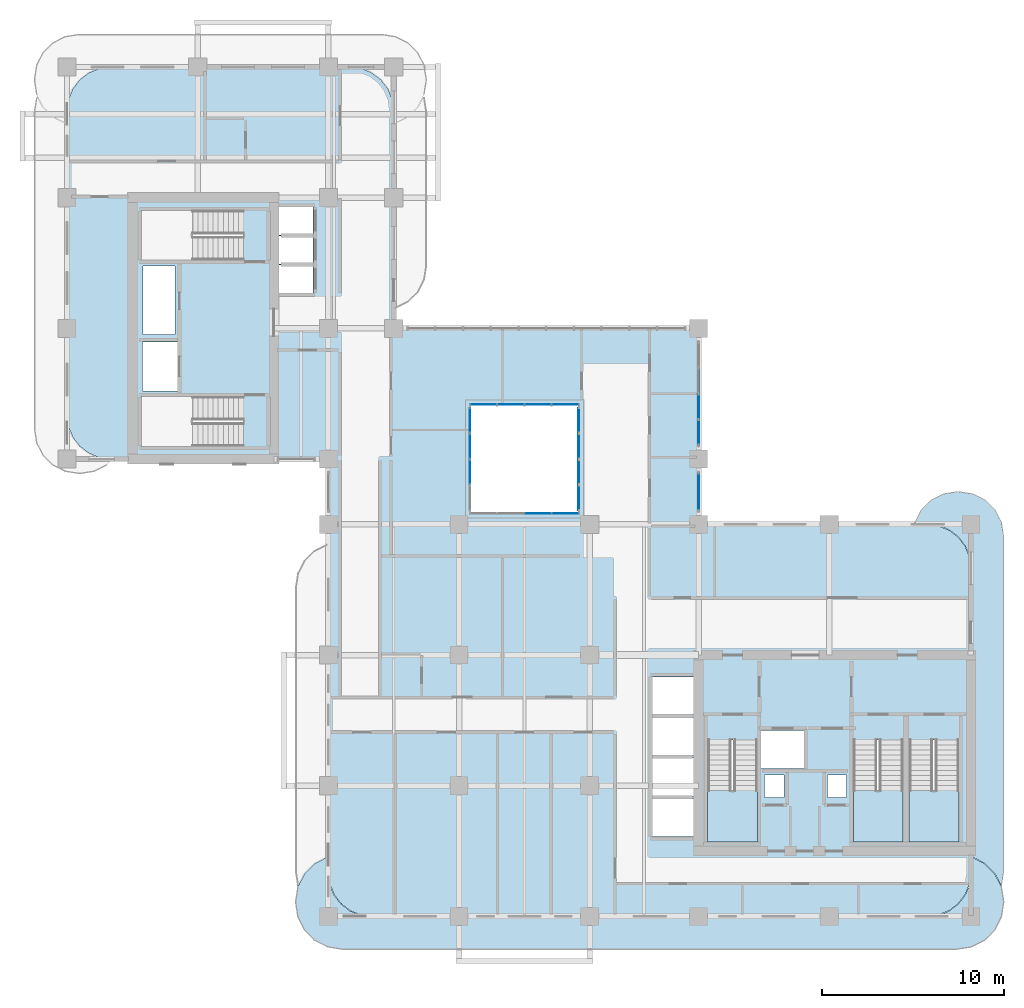
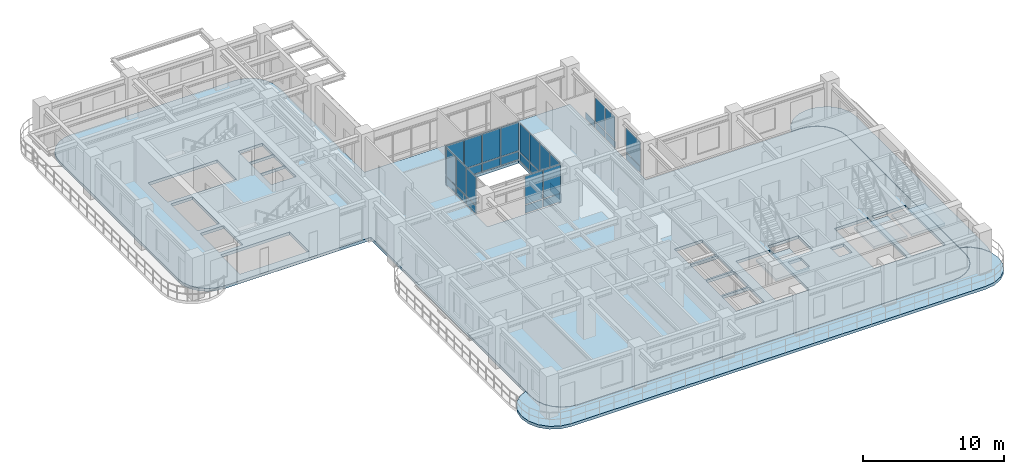
# One storey, part 9 of 21: 33 plates, 6 slabs, 9 elements without a shape of their own.
"""IFC4 building model written with IfcOpenShell, lengths in metres."""

from ifc_helpers import new_model, si_unit, derived_unit, direction, frame, origin, origin_2d, place, context, subcontext, project, spatial, polyline, rectangle, outline, extrude, source, transform, mapped, material, layer, layer_set, type_object, element, aggregate, save


model = new_model("IFC4")

# Units and contexts
model_context = context("Model", 3, precision=1e-05, world=origin(), true_north=direction((0.0, 1.0)))
body_context = subcontext(model_context, "Body", "Model", "MODEL_VIEW")
ifc_project = project(units=[si_unit("LENGTHUNIT", "METRE"), si_unit("AREAUNIT", "SQUARE_METRE"), si_unit("VOLUMEUNIT", "CUBIC_METRE"), si_unit("PLANEANGLEUNIT", "RADIAN"), si_unit("MASSUNIT", "GRAM", prefix="KILO"), si_unit("THERMODYNAMICTEMPERATUREUNIT", "KELVIN"), si_unit("POWERUNIT", "WATT"), derived_unit("THERMALTRANSMITTANCEUNIT", [(si_unit("POWERUNIT", "WATT"), 1), (si_unit("AREAUNIT", "SQUARE_METRE"), -1), (si_unit("THERMODYNAMICTEMPERATUREUNIT", "KELVIN"), -1)])], contexts=[model_context])

# Site, building, storey
site_placement = place(None, origin())
site = spatial("IfcSite", under=ifc_project, at=site_placement, CompositionType="ELEMENT")
building_placement = place(site_placement, origin())
building = spatial("IfcBuilding", under=site, at=building_placement, Name="Zahravan Archway Hotel and Residences", CompositionType="ELEMENT")
storey_placement = place(building_placement, frame((0.0, 0.0, 141.39990234375)))
storey = spatial("IfcBuildingStorey", under=building, at=storey_placement, Name="L35", CompositionType="ELEMENT", Elevation=141.39990234375)

# Slabs
ifc_material_1 = material(Name="Concrete C45/55", Category="concrete")
ifc_layer_1 = layer(ifc_material_1, 0.25, Name="Concrete C45/55", Category="concrete")
ifc_layer_set_1 = layer_set([ifc_layer_1], Name="Concrete C45/55")
slab_type_1 = type_object("IfcSlabType", Name="SLB-BALC-250", PredefinedType="FLOOR", material=ifc_layer_set_1)
slab_1_placement = place(storey_placement, frame((0.0, 0.0, -0.25)))
element("IfcSlab", 1, at=slab_1_placement, inside=storey, type_object=slab_type_1, Name="L35 Wing A South Rounded Balcony Band", PredefinedType="FLOOR", context=body_context, shape_type="SweptSolid", body=[
    extrude(outline(polyline([(49.837890625, 3.275146484375), (50.548828125, 2.9130859375), (51.113037109375, 2.348876953125), (51.47509765625, 1.637939453125), (51.60009765625, 0.85009765625), (51.60009765625, 0.75), (51.47509765625, -0.0380859375), (51.113037109375, -0.748779296875), (50.548828125, -1.31298828125), (49.837890625, -1.67529296875), (49.050048828125, -1.800048828125), (15.14990234375, -1.800048828125), (14.362060546875, -1.67529296875), (13.651123046875, -1.31298828125), (13.0869140625, -0.748779296875), (12.724853515625, -0.0380859375), (12.60009765625, 0.75), (12.60009765625, 0.85009765625), (12.724853515625, 1.637939453125), (13.0869140625, 2.348876953125), (13.651123046875, 2.9130859375), (14.362060546875, 3.275146484375), (14.3798828125, 3.278076171875), (14.3798828125, 2.39990234375), (14.380126953125, 2.3974609375), (14.4619140625, 1.776123046875), (14.46240234375, 1.7744140625), (14.462646484375, 1.772705078125), (14.46337890625, 1.77099609375), (14.702880859375, 1.1923828125), (14.703857421875, 1.19091796875), (14.70458984375, 1.189208984375), (14.70556640625, 1.187744140625), (15.0869140625, 0.690673828125), (15.088134765625, 0.689453125), (15.08935546875, 0.688232421875), (15.0908203125, 0.68701171875), (15.587890625, 0.3056640625), (15.58935546875, 0.3046875), (15.5908203125, 0.3037109375), (15.59228515625, 0.302978515625), (16.171142578125, 0.063232421875), (16.1728515625, 0.062744140625), (16.174560546875, 0.062255859375), (16.17626953125, 0.06201171875), (16.79736328125, -0.019775390625), (16.800048828125, -0.02001953125), (47.39990234375, -0.02001953125), (47.402587890625, -0.019775390625), (48.023681640625, 0.06201171875), (48.025390625, 0.062255859375), (48.027099609375, 0.062744140625), (48.02880859375, 0.063232421875), (48.607666015625, 0.302978515625), (48.609130859375, 0.3037109375), (48.610595703125, 0.3046875), (48.6123046875, 0.3056640625), (49.109375, 0.68701171875), (49.110595703125, 0.688232421875), (49.11181640625, 0.689453125), (49.113037109375, 0.690673828125), (49.494384765625, 1.187744140625), (49.495361328125, 1.189208984375), (49.49609375, 1.19091796875), (49.4970703125, 1.1923828125), (49.73681640625, 1.77099609375), (49.7373046875, 1.772705078125), (49.73779296875, 1.7744140625), (49.738037109375, 1.776123046875), (49.81982421875, 2.3974609375), (49.820068359375, 2.39990234375), (49.820068359375, 3.278076171875), (49.837890625, 3.275146484375)])), origin(), (0.0, 0.0, 1.0), 0.25),
])
slab_2_placement = place(storey_placement, frame((0.0, 0.0, -0.25)))
element("IfcSlab", 2, at=slab_2_placement, inside=storey, type_object=slab_type_1, Name="L35 Wing A East Rounded Balcony Band", PredefinedType="FLOOR", context=body_context, shape_type="SweptSolid", body=[
    extrude(outline(polyline([(46.719970703125, 21.70703125), (47.06787109375, 22.39013671875), (47.60986328125, 22.93212890625), (48.29296875, 23.280029296875), (49.050048828125, 23.39990234375), (49.14990234375, 23.39990234375), (49.906982421875, 23.280029296875), (50.590087890625, 22.93212890625), (51.132080078125, 22.39013671875), (51.47998046875, 21.70703125), (51.60009765625, 20.949951171875), (51.60009765625, 2.449951171875), (51.47998046875, 1.69287109375), (51.474853515625, 1.6826171875), (51.130859375, 2.35791015625), (51.1298828125, 2.35986328125), (51.12841796875, 2.361572265625), (51.127197265625, 2.363037109375), (50.56298828125, 2.927001953125), (50.5615234375, 2.928466796875), (50.559814453125, 2.9296875), (50.55810546875, 2.930908203125), (49.84716796875, 3.29296875), (49.84521484375, 3.2939453125), (49.84326171875, 3.29443359375), (49.841064453125, 3.294921875), (49.822998046875, 3.2978515625), (49.8212890625, 3.298095703125), (49.820068359375, 3.298095703125), (49.820068359375, 19.199951171875), (49.81982421875, 19.20263671875), (49.738037109375, 19.82373046875), (49.73779296875, 19.825439453125), (49.7373046875, 19.8271484375), (49.73681640625, 19.828857421875), (49.4970703125, 20.40771484375), (49.49609375, 20.4091796875), (49.495361328125, 20.41064453125), (49.494384765625, 20.412109375), (49.113037109375, 20.9091796875), (49.11181640625, 20.91064453125), (49.110595703125, 20.911865234375), (49.109375, 20.9130859375), (48.6123046875, 21.29443359375), (48.610595703125, 21.29541015625), (48.609130859375, 21.296142578125), (48.607666015625, 21.297119140625), (48.02880859375, 21.53662109375), (48.027099609375, 21.537353515625), (48.025390625, 21.53759765625), (48.023681640625, 21.5380859375), (47.402587890625, 21.619873046875), (47.39990234375, 21.6201171875), (46.7060546875, 21.6201171875), (46.719970703125, 21.70703125)])), origin(), (0.0, 0.0, 1.0), 0.25),
])
ifc_layer_2 = layer(ifc_material_1, 0.25, Name="Concrete C45/55", Category="concrete")
ifc_layer_set_2 = layer_set([ifc_layer_2], Name="Concrete C45/55")
slab_type_2 = type_object("IfcSlabType", Name="SLB-FLR-250", PredefinedType="FLOOR", material=ifc_layer_set_2)
slab_3_placement = place(storey_placement, frame((0.0, 0.0, -0.25)))
element("IfcSlab", 3, at=slab_3_placement, inside=storey, type_object=slab_type_2, Name="L35 Floor Slab LB", PredefinedType="FLOOR", context=body_context, shape_type="SweptSolid", body=[
    extrude(outline(polyline([(34.800048828125, 21.60009765625), (34.800048828125, 32.39990234375), (18.0, 32.39990234375), (18.0, 44.39990234375), (17.918212890625, 45.021240234375), (17.678466796875, 45.60009765625), (17.297119140625, 46.09716796875), (16.800048828125, 46.478515625), (16.22119140625, 46.71826171875), (15.60009765625, 46.800048828125), (2.39990234375, 46.800048828125), (1.77880859375, 46.71826171875), (1.199951171875, 46.478515625), (0.702880859375, 46.09716796875), (0.321533203125, 45.60009765625), (0.081787109375, 45.021240234375), (0.0, 44.39990234375), (0.0, 27.60009765625), (0.081787109375, 26.978759765625), (0.321533203125, 26.39990234375), (0.702880859375, 25.90283203125), (1.199951171875, 25.521484375), (1.77880859375, 25.28173828125), (2.39990234375, 25.199951171875), (14.39990234375, 25.199951171875), (14.39990234375, 19.199951171875), (14.39990234375, 19.10009765625), (14.39990234375, 2.39990234375), (14.481689453125, 1.77880859375), (14.721435546875, 1.199951171875), (15.102783203125, 0.702880859375), (15.60009765625, 0.321533203125), (16.1787109375, 0.081787109375), (16.800048828125, 0.0), (47.39990234375, 0.0), (48.021240234375, 0.081787109375), (48.60009765625, 0.321533203125), (49.09716796875, 0.702880859375), (49.478515625, 1.199951171875), (49.71826171875, 1.77880859375), (49.800048828125, 2.39990234375), (49.800048828125, 19.199951171875), (49.71826171875, 19.8212890625), (49.478515625, 20.39990234375), (49.09716796875, 20.897216796875), (48.60009765625, 21.278564453125), (48.021240234375, 21.518310546875), (47.39990234375, 21.60009765625), (34.800048828125, 21.60009765625)]), holes=[polyline([(35.300048828125, 9.72998046875), (35.300048828125, 4.10009765625), (38.0400390625, 4.10009765625), (38.0400390625, 9.72998046875), (35.300048828125, 9.72998046875)]), polyline([(43.320068359375, 9.72998046875), (43.320068359375, 4.10009765625), (46.06005859375, 4.10009765625), (46.06005859375, 9.72998046875), (43.320068359375, 9.72998046875)]), polyline([(46.39990234375, 9.72998046875), (46.39990234375, 4.10009765625), (49.139892578125, 4.10009765625), (49.139892578125, 9.72998046875), (46.39990234375, 9.72998046875)]), polyline([(9.72998046875, 28.639892578125), (4.10009765625, 28.639892578125), (4.10009765625, 25.89990234375), (9.72998046875, 25.89990234375), (9.72998046875, 28.639892578125)]), polyline([(9.72998046875, 38.89990234375), (4.10009765625, 38.89990234375), (4.10009765625, 36.159912109375), (9.72998046875, 36.159912109375), (9.72998046875, 38.89990234375)]), polyline([(38.179931640625, 8.14990234375), (40.699951171875, 8.14990234375), (40.699951171875, 10.25), (38.179931640625, 10.25), (38.179931640625, 8.14990234375)]), polyline([(4.14990234375, 28.949951171875), (6.10009765625, 28.949951171875), (6.10009765625, 31.64990234375), (4.14990234375, 31.64990234375), (4.14990234375, 28.949951171875)]), polyline([(11.550048828125, 34.35009765625), (13.550048828125, 34.35009765625), (13.550048828125, 35.889892578125), (11.550048828125, 35.889892578125), (11.550048828125, 34.35009765625)]), polyline([(11.550048828125, 35.949951171875), (13.550048828125, 35.949951171875), (13.550048828125, 37.489990234375), (11.550048828125, 37.489990234375), (11.550048828125, 35.949951171875)]), polyline([(11.550048828125, 37.550048828125), (13.550048828125, 37.550048828125), (13.550048828125, 39.090087890625), (11.550048828125, 39.090087890625), (11.550048828125, 37.550048828125)]), polyline([(32.25, 4.39990234375), (34.550048828125, 4.39990234375), (34.550048828125, 6.47998046875), (32.25, 6.47998046875), (32.25, 4.39990234375)]), polyline([(32.25, 6.639892578125), (34.550048828125, 6.639892578125), (34.550048828125, 8.719970703125), (32.25, 8.719970703125), (32.25, 6.639892578125)]), polyline([(32.25, 8.8798828125), (34.550048828125, 8.8798828125), (34.550048828125, 10.9599609375), (32.25, 10.9599609375), (32.25, 8.8798828125)]), polyline([(32.25, 11.1201171875), (34.550048828125, 11.1201171875), (34.550048828125, 13.199951171875), (32.25, 13.199951171875), (32.25, 11.1201171875)]), polyline([(22.199951171875, 22.199951171875), (28.199951171875, 22.199951171875), (28.199951171875, 28.199951171875), (22.199951171875, 28.199951171875), (22.199951171875, 22.199951171875)]), polyline([(38.419921875, 6.56005859375), (39.5, 6.56005859375), (39.5, 7.780029296875), (38.419921875, 7.780029296875), (38.419921875, 6.56005859375)]), polyline([(41.89990234375, 6.56005859375), (42.9599609375, 6.56005859375), (42.9599609375, 7.780029296875), (41.89990234375, 7.780029296875), (41.89990234375, 6.56005859375)]), polyline([(4.179931640625, 32.050048828125), (5.93994140625, 32.050048828125), (5.93994140625, 35.840087890625), (4.179931640625, 35.840087890625), (4.179931640625, 32.050048828125)])]), origin(), (0.0, 0.0, 1.0), 0.25),
])

# Stair, slab
ifc_material_2 = material(Name="Concrete C50/60", Category="concrete")
stair_type = type_object("IfcStairType", Name="STR-CORE-1300", PredefinedType="HALF_TURN_STAIR", material=ifc_material_2)
stair_1_placement = place(storey_placement, origin())
stair_1 = element("IfcStair", 4, at=stair_1_placement, inside=storey, type_object=stair_type, Name="L35 Core A Exit Stair 1", PredefinedType="HALF_TURN_STAIR")
ifc_layer_3 = layer(ifc_material_2, 0.199951171875, Name="Concrete C50/60", Category="concrete")
ifc_layer_set_3 = layer_set([ifc_layer_3], Name="Concrete C50/60")
slab_type_3 = type_object("IfcSlabType", Name="SLB-LND-200", PredefinedType="LANDING", material=ifc_layer_set_3)
slab_4_placement = place(storey_placement, frame((0.0, 0.0, 1.650146484375)))
slab_4 = element("IfcSlab", 5, at=slab_4_placement, type_object=slab_type_3, Name="ST-A1 landing 1", PredefinedType="LANDING", context=body_context, shape_type="SweptSolid", body=[
    extrude(outline(polyline([(35.300048828125, 6.929931640625), (35.300048828125, 4.10009765625), (38.0400390625, 4.10009765625), (38.0400390625, 6.929931640625), (35.300048828125, 6.929931640625)])), origin(), (0.0, 0.0, 1.0), 0.199951171875),
])
aggregate(stair_1, [slab_4])

stair_2_placement = place(storey_placement, origin())
stair_2 = element("IfcStair", 6, at=stair_2_placement, inside=storey, type_object=stair_type, Name="L35 Core A Exit Stair 2", PredefinedType="HALF_TURN_STAIR")
slab_5_placement = place(storey_placement, frame((0.0, 0.0, 1.650146484375)))
slab_5 = element("IfcSlab", 7, at=slab_5_placement, type_object=slab_type_3, Name="ST-A2 landing 1", PredefinedType="LANDING", context=body_context, shape_type="SweptSolid", body=[
    extrude(outline(polyline([(43.320068359375, 6.929931640625), (43.320068359375, 4.10009765625), (46.06005859375, 4.10009765625), (46.06005859375, 6.929931640625), (43.320068359375, 6.929931640625)])), origin(), (0.0, 0.0, 1.0), 0.199951171875),
])
aggregate(stair_2, [slab_5])

stair_3_placement = place(storey_placement, origin())
stair_3 = element("IfcStair", 8, at=stair_3_placement, inside=storey, type_object=stair_type, Name="L35 Core A Exit Stair 3", PredefinedType="HALF_TURN_STAIR")
slab_6_placement = place(storey_placement, frame((0.0, 0.0, 1.650146484375)))
slab_6 = element("IfcSlab", 9, at=slab_6_placement, type_object=slab_type_3, Name="ST-A3 landing 1", PredefinedType="LANDING", context=body_context, shape_type="SweptSolid", body=[
    extrude(outline(polyline([(46.39990234375, 6.929931640625), (46.39990234375, 4.10009765625), (49.139892578125, 4.10009765625), (49.139892578125, 6.929931640625), (46.39990234375, 6.929931640625)])), origin(), (0.0, 0.0, 1.0), 0.199951171875),
])
aggregate(stair_3, [slab_6])

# Curtain wall, plates
ifc_material_3 = material(Name="Bronze-Anodized Unitised Aluminium & Low-E Glass", Category="aluminium")
ifc_layer_4 = layer(ifc_material_3, 0.179931640625, Name="Bronze-Anodized Unitised Aluminium & Low-E Glass", Category="aluminium")
ifc_layer_set_4 = layer_set([ifc_layer_4], Name="Bronze-Anodized Unitised Aluminium & Low-E Glass")
curtain_wall_type = type_object("IfcCurtainWallType", Name="CW-ATR-GLAZ", PredefinedType="NOTDEFINED", material=ifc_layer_set_4)
curtain_wall_1_placement = place(storey_placement, origin())
curtain_wall_1 = element("IfcCurtainWall", 10, at=curtain_wall_1_placement, inside=storey, type_object=curtain_wall_type, Name="L35 Curtain Wall CW-L35-HNG-E-2", PredefinedType="NOTDEFINED")
ifc_material_4 = material(Name="Insulated Terracotta Spandrel Panel", Category="masonry")
ifc_layer_5 = layer(ifc_material_4, 0.0400390625, Name="Insulated Terracotta Spandrel Panel", Category="masonry")
ifc_layer_set_5 = layer_set([ifc_layer_5], Name="Insulated Terracotta Spandrel Panel")
plate_type_1 = type_object("IfcPlateType", Name="CWP-SPN-40", PredefinedType="SHEET", material=ifc_layer_set_5)
shared_shape_1 = source(origin(), body_context, "Body", "SweptSolid", [
    extrude(rectangle(XDim=1.340087890625, YDim=0.0400390625, at=origin_2d()), origin(), (0.0, 0.0, 1.0), 0.552490234375),
])
plate_1_placement = place(storey_placement, frame((34.800048828125, 26.669921875, 0.10009765625), z_axis=(0.0, 0.0, 1.0), x_axis=(0.0, 1.0, 0.0)))
plate_1 = element("IfcPlate", 11, at=plate_1_placement, type_object=plate_type_1, Name="CW-L35-HNG-E-2 Spandrel Panel 0", PredefinedType="SHEET", context=body_context, shape_type="MappedRepresentation", body=[
    mapped(shared_shape_1, transform((0.0, 0.0, 0.0), scale=1.0)),
])
plate_2_placement = place(storey_placement, frame((34.800048828125, 28.090087890625, 0.10009765625), z_axis=(0.0, 0.0, 1.0), x_axis=(0.0, 1.0, 0.0)))
plate_2 = element("IfcPlate", 12, at=plate_2_placement, type_object=plate_type_1, Name="CW-L35-HNG-E-2 Spandrel Panel 1", PredefinedType="SHEET", context=body_context, shape_type="MappedRepresentation", body=[
    mapped(shared_shape_1, transform((0.0, 0.0, 0.0), scale=1.0)),
])
plate_3_placement = place(storey_placement, frame((34.800048828125, 29.510009765625, 0.10009765625), z_axis=(0.0, 0.0, 1.0), x_axis=(0.0, 1.0, 0.0)))
plate_3 = element("IfcPlate", 13, at=plate_3_placement, type_object=plate_type_1, Name="CW-L35-HNG-E-2 Spandrel Panel 2", PredefinedType="SHEET", context=body_context, shape_type="MappedRepresentation", body=[
    mapped(shared_shape_1, transform((0.0, 0.0, 0.0), scale=1.0)),
])
ifc_material_5 = material(Name="Double-Silver Low-E Insulated Vision Glass", Category="glass")
ifc_layer_6 = layer(ifc_material_5, 0.028076171875, Name="Double-Silver Low-E Insulated Vision Glass", Category="glass")
ifc_layer_set_6 = layer_set([ifc_layer_6], Name="Double-Silver Low-E Insulated Vision Glass")
plate_type_2 = type_object("IfcPlateType", Name="CWP-GLZ-28", PredefinedType="CURTAIN_PANEL", material=ifc_layer_set_6)
shared_shape_2 = source(origin(), body_context, "Body", "SweptSolid", [
    extrude(rectangle(XDim=1.340087890625, YDim=0.028076171875, at=origin_2d()), origin(), (0.0, 0.0, 1.0), 2.052490234375),
])
plate_4_placement = place(storey_placement, frame((34.800048828125, 26.669921875, 0.732421875), z_axis=(0.0, 0.0, 1.0), x_axis=(0.0, 1.0, 0.0)))
plate_4 = element("IfcPlate", 14, at=plate_4_placement, type_object=plate_type_2, Name="CW-L35-HNG-E-2 Low-E Vision Panel 0", PredefinedType="CURTAIN_PANEL", context=body_context, shape_type="MappedRepresentation", body=[
    mapped(shared_shape_2, transform((0.0, 0.0, 0.0), scale=1.0)),
])
plate_5_placement = place(storey_placement, frame((34.800048828125, 28.090087890625, 0.732421875), z_axis=(0.0, 0.0, 1.0), x_axis=(0.0, 1.0, 0.0)))
plate_5 = element("IfcPlate", 15, at=plate_5_placement, type_object=plate_type_2, Name="CW-L35-HNG-E-2 Low-E Vision Panel 1", PredefinedType="CURTAIN_PANEL", context=body_context, shape_type="MappedRepresentation", body=[
    mapped(shared_shape_2, transform((0.0, 0.0, 0.0), scale=1.0)),
])
aggregate(curtain_wall_1, [plate_1, plate_4, plate_2, plate_5, plate_3])

curtain_wall_2_placement = place(storey_placement, origin())
curtain_wall_2 = element("IfcCurtainWall", 16, at=curtain_wall_2_placement, inside=storey, type_object=curtain_wall_type, Name="L35 Curtain Wall CW-L35-HNG-E-1", PredefinedType="NOTDEFINED")
shared_shape_3 = source(origin(), body_context, "Body", "SweptSolid", [
    extrude(rectangle(XDim=2.0, YDim=0.0400390625, at=origin_2d()), origin(), (0.0, 0.0, 1.0), 0.552490234375),
])
plate_6_placement = place(storey_placement, frame((34.800048828125, 23.39990234375, 0.10009765625), z_axis=(0.0, 0.0, 1.0), x_axis=(0.0, 1.0, 0.0)))
plate_6 = element("IfcPlate", 17, at=plate_6_placement, type_object=plate_type_1, Name="CW-L35-HNG-E-1 Spandrel Panel 0", PredefinedType="SHEET", context=body_context, shape_type="MappedRepresentation", body=[
    mapped(shared_shape_3, transform((0.0, 0.0, 0.0), scale=1.0)),
])
shared_shape_4 = source(origin(), body_context, "Body", "SweptSolid", [
    extrude(rectangle(XDim=2.0, YDim=0.028076171875, at=origin_2d()), origin(), (0.0, 0.0, 1.0), 2.052490234375),
])
plate_7_placement = place(storey_placement, frame((34.800048828125, 23.39990234375, 0.732421875), z_axis=(0.0, 0.0, 1.0), x_axis=(0.0, 1.0, 0.0)))
plate_7 = element("IfcPlate", 18, at=plate_7_placement, type_object=plate_type_2, Name="CW-L35-HNG-E-1 Low-E Vision Panel 0", PredefinedType="CURTAIN_PANEL", context=body_context, shape_type="MappedRepresentation", body=[
    mapped(shared_shape_4, transform((0.0, 0.0, 0.0), scale=1.0)),
])
aggregate(curtain_wall_2, [plate_6, plate_7])

curtain_wall_3_placement = place(storey_placement, origin())
curtain_wall_3 = element("IfcCurtainWall", 19, at=curtain_wall_3_placement, inside=storey, type_object=curtain_wall_type, Name="L35 Curtain Wall CW-ATR-L35-S-1", PredefinedType="NOTDEFINED")
shared_shape_5 = source(origin(), body_context, "Body", "SweptSolid", [
    extrude(rectangle(XDim=1.419921875, YDim=0.0400390625, at=origin_2d()), origin(), (0.0, 0.0, 1.0), 0.676025390625),
])
plate_8_placement = place(storey_placement, frame((25.949951171875, 22.199951171875, 0.10009765625), z_axis=(0.0, 0.0, 1.0), x_axis=(1.0, 0.0, 0.0)))
plate_8 = element("IfcPlate", 20, at=plate_8_placement, type_object=plate_type_1, Name="CW-ATR-L35-S-1 Spandrel Panel 2", PredefinedType="SHEET", context=body_context, shape_type="MappedRepresentation", body=[
    mapped(shared_shape_5, transform((0.0, 0.0, 0.0), scale=1.0)),
])
plate_9_placement = place(storey_placement, frame((27.449951171875, 22.199951171875, 0.10009765625), z_axis=(0.0, 0.0, 1.0), x_axis=(1.0, 0.0, 0.0)))
plate_9 = element("IfcPlate", 21, at=plate_9_placement, type_object=plate_type_1, Name="CW-ATR-L35-S-1 Spandrel Panel 3", PredefinedType="SHEET", context=body_context, shape_type="MappedRepresentation", body=[
    mapped(shared_shape_5, transform((0.0, 0.0, 0.0), scale=1.0)),
])

curtain_wall_4_placement = place(storey_placement, origin())
curtain_wall_4 = element("IfcCurtainWall", 22, at=curtain_wall_4_placement, inside=storey, type_object=curtain_wall_type, Name="L35 Curtain Wall CW-ATR-L35-N-1", PredefinedType="NOTDEFINED")
plate_10_placement = place(storey_placement, frame((22.949951171875, 28.199951171875, 0.10009765625), z_axis=(0.0, 0.0, 1.0), x_axis=(1.0, 0.0, 0.0)))
plate_10 = element("IfcPlate", 23, at=plate_10_placement, type_object=plate_type_1, Name="CW-ATR-L35-N-1 Spandrel Panel 0", PredefinedType="SHEET", context=body_context, shape_type="MappedRepresentation", body=[
    mapped(shared_shape_5, transform((0.0, 0.0, 0.0), scale=1.0)),
])
plate_11_placement = place(storey_placement, frame((24.449951171875, 28.199951171875, 0.10009765625), z_axis=(0.0, 0.0, 1.0), x_axis=(1.0, 0.0, 0.0)))
plate_11 = element("IfcPlate", 24, at=plate_11_placement, type_object=plate_type_1, Name="CW-ATR-L35-N-1 Spandrel Panel 1", PredefinedType="SHEET", context=body_context, shape_type="MappedRepresentation", body=[
    mapped(shared_shape_5, transform((0.0, 0.0, 0.0), scale=1.0)),
])
plate_12_placement = place(storey_placement, frame((25.949951171875, 28.199951171875, 0.10009765625), z_axis=(0.0, 0.0, 1.0), x_axis=(1.0, 0.0, 0.0)))
plate_12 = element("IfcPlate", 25, at=plate_12_placement, type_object=plate_type_1, Name="CW-ATR-L35-N-1 Spandrel Panel 2", PredefinedType="SHEET", context=body_context, shape_type="MappedRepresentation", body=[
    mapped(shared_shape_5, transform((0.0, 0.0, 0.0), scale=1.0)),
])
plate_13_placement = place(storey_placement, frame((27.449951171875, 28.199951171875, 0.10009765625), z_axis=(0.0, 0.0, 1.0), x_axis=(1.0, 0.0, 0.0)))
plate_13 = element("IfcPlate", 26, at=plate_13_placement, type_object=plate_type_1, Name="CW-ATR-L35-N-1 Spandrel Panel 3", PredefinedType="SHEET", context=body_context, shape_type="MappedRepresentation", body=[
    mapped(shared_shape_5, transform((0.0, 0.0, 0.0), scale=1.0)),
])

# Plate
shared_shape_6 = source(origin(), body_context, "Body", "SweptSolid", [
    extrude(rectangle(XDim=1.419921875, YDim=0.028076171875, at=origin_2d()), origin(), (0.0, 0.0, 1.0), 2.444091796875),
])
plate_14_placement = place(storey_placement, frame((25.949951171875, 22.199951171875, 0.85595703125), z_axis=(0.0, 0.0, 1.0), x_axis=(1.0, 0.0, 0.0)))
plate_14 = element("IfcPlate", 27, at=plate_14_placement, type_object=plate_type_2, Name="CW-ATR-L35-S-1 Low-E Vision Panel 2", PredefinedType="CURTAIN_PANEL", context=body_context, shape_type="MappedRepresentation", body=[
    mapped(shared_shape_6, transform((0.0, 0.0, 0.0), scale=1.0)),
])

plate_15_placement = place(storey_placement, frame((27.449951171875, 22.199951171875, 0.85595703125), z_axis=(0.0, 0.0, 1.0), x_axis=(1.0, 0.0, 0.0)))
plate_15 = element("IfcPlate", 28, at=plate_15_placement, type_object=plate_type_2, Name="CW-ATR-L35-S-1 Low-E Vision Panel 3", PredefinedType="CURTAIN_PANEL", context=body_context, shape_type="MappedRepresentation", body=[
    mapped(shared_shape_6, transform((0.0, 0.0, 0.0), scale=1.0)),
])

aggregate(curtain_wall_3, [plate_8, plate_14, plate_9, plate_15])

plate_16_placement = place(storey_placement, frame((22.949951171875, 28.199951171875, 0.85595703125), z_axis=(0.0, 0.0, 1.0), x_axis=(1.0, 0.0, 0.0)))
plate_16 = element("IfcPlate", 29, at=plate_16_placement, type_object=plate_type_2, Name="CW-ATR-L35-N-1 Low-E Vision Panel 0", PredefinedType="CURTAIN_PANEL", context=body_context, shape_type="MappedRepresentation", body=[
    mapped(shared_shape_6, transform((0.0, 0.0, 0.0), scale=1.0)),
])

plate_17_placement = place(storey_placement, frame((24.449951171875, 28.199951171875, 0.85595703125), z_axis=(0.0, 0.0, 1.0), x_axis=(1.0, 0.0, 0.0)))
plate_17 = element("IfcPlate", 30, at=plate_17_placement, type_object=plate_type_2, Name="CW-ATR-L35-N-1 Low-E Vision Panel 1", PredefinedType="CURTAIN_PANEL", context=body_context, shape_type="MappedRepresentation", body=[
    mapped(shared_shape_6, transform((0.0, 0.0, 0.0), scale=1.0)),
])

plate_18_placement = place(storey_placement, frame((25.949951171875, 28.199951171875, 0.85595703125), z_axis=(0.0, 0.0, 1.0), x_axis=(1.0, 0.0, 0.0)))
plate_18 = element("IfcPlate", 31, at=plate_18_placement, type_object=plate_type_2, Name="CW-ATR-L35-N-1 Low-E Vision Panel 2", PredefinedType="CURTAIN_PANEL", context=body_context, shape_type="MappedRepresentation", body=[
    mapped(shared_shape_6, transform((0.0, 0.0, 0.0), scale=1.0)),
])

plate_19_placement = place(storey_placement, frame((27.449951171875, 28.199951171875, 0.85595703125), z_axis=(0.0, 0.0, 1.0), x_axis=(1.0, 0.0, 0.0)))
plate_19 = element("IfcPlate", 32, at=plate_19_placement, type_object=plate_type_2, Name="CW-ATR-L35-N-1 Low-E Vision Panel 3", PredefinedType="CURTAIN_PANEL", context=body_context, shape_type="MappedRepresentation", body=[
    mapped(shared_shape_6, transform((0.0, 0.0, 0.0), scale=1.0)),
])

aggregate(curtain_wall_4, [plate_10, plate_16, plate_11, plate_17, plate_12, plate_18, plate_13, plate_19])

# Curtain wall, plates
curtain_wall_5_placement = place(storey_placement, origin())
curtain_wall_5 = element("IfcCurtainWall", 33, at=curtain_wall_5_placement, inside=storey, type_object=curtain_wall_type, Name="L35 Curtain Wall CW-ATR-L35-W-1", PredefinedType="NOTDEFINED")
shared_shape_7 = source(origin(), body_context, "Body", "SweptSolid", [
    extrude(rectangle(XDim=1.344970703125, YDim=0.0400390625, at=origin_2d()), origin(), (0.0, 0.0, 1.0), 0.676025390625),
])
plate_20_placement = place(storey_placement, frame((22.199951171875, 24.487548828125, 0.10009765625), z_axis=(0.0, 0.0, 1.0), x_axis=(0.0, 1.0, 0.0)))
plate_20 = element("IfcPlate", 34, at=plate_20_placement, type_object=plate_type_1, Name="CW-ATR-L35-W-1 Spandrel Panel 1", PredefinedType="SHEET", context=body_context, shape_type="MappedRepresentation", body=[
    mapped(shared_shape_7, transform((0.0, 0.0, 0.0), scale=1.0)),
])
plate_21_placement = place(storey_placement, frame((22.199951171875, 25.91259765625, 0.10009765625), z_axis=(0.0, 0.0, 1.0), x_axis=(0.0, 1.0, 0.0)))
plate_21 = element("IfcPlate", 35, at=plate_21_placement, type_object=plate_type_1, Name="CW-ATR-L35-W-1 Spandrel Panel 2", PredefinedType="SHEET", context=body_context, shape_type="MappedRepresentation", body=[
    mapped(shared_shape_7, transform((0.0, 0.0, 0.0), scale=1.0)),
])
plate_22_placement = place(storey_placement, frame((22.199951171875, 27.33740234375, 0.10009765625), z_axis=(0.0, 0.0, 1.0), x_axis=(0.0, 1.0, 0.0)))
plate_22 = element("IfcPlate", 36, at=plate_22_placement, type_object=plate_type_1, Name="CW-ATR-L35-W-1 Spandrel Panel 3", PredefinedType="SHEET", context=body_context, shape_type="MappedRepresentation", body=[
    mapped(shared_shape_7, transform((0.0, 0.0, 0.0), scale=1.0)),
])

curtain_wall_6_placement = place(storey_placement, origin())
curtain_wall_6 = element("IfcCurtainWall", 37, at=curtain_wall_6_placement, inside=storey, type_object=curtain_wall_type, Name="L35 Curtain Wall CW-ATR-L35-E-1", PredefinedType="NOTDEFINED")
plate_23_placement = place(storey_placement, frame((28.199951171875, 23.0625, 0.10009765625), z_axis=(0.0, 0.0, 1.0), x_axis=(0.0, 1.0, 0.0)))
plate_23 = element("IfcPlate", 38, at=plate_23_placement, type_object=plate_type_1, Name="CW-ATR-L35-E-1 Spandrel Panel 0", PredefinedType="SHEET", context=body_context, shape_type="MappedRepresentation", body=[
    mapped(shared_shape_7, transform((0.0, 0.0, 0.0), scale=1.0)),
])
plate_24_placement = place(storey_placement, frame((28.199951171875, 24.487548828125, 0.10009765625), z_axis=(0.0, 0.0, 1.0), x_axis=(0.0, 1.0, 0.0)))
plate_24 = element("IfcPlate", 39, at=plate_24_placement, type_object=plate_type_1, Name="CW-ATR-L35-E-1 Spandrel Panel 1", PredefinedType="SHEET", context=body_context, shape_type="MappedRepresentation", body=[
    mapped(shared_shape_7, transform((0.0, 0.0, 0.0), scale=1.0)),
])
plate_25_placement = place(storey_placement, frame((28.199951171875, 25.91259765625, 0.10009765625), z_axis=(0.0, 0.0, 1.0), x_axis=(0.0, 1.0, 0.0)))
plate_25 = element("IfcPlate", 40, at=plate_25_placement, type_object=plate_type_1, Name="CW-ATR-L35-E-1 Spandrel Panel 2", PredefinedType="SHEET", context=body_context, shape_type="MappedRepresentation", body=[
    mapped(shared_shape_7, transform((0.0, 0.0, 0.0), scale=1.0)),
])
plate_26_placement = place(storey_placement, frame((28.199951171875, 27.33740234375, 0.10009765625), z_axis=(0.0, 0.0, 1.0), x_axis=(0.0, 1.0, 0.0)))
plate_26 = element("IfcPlate", 41, at=plate_26_placement, type_object=plate_type_1, Name="CW-ATR-L35-E-1 Spandrel Panel 3", PredefinedType="SHEET", context=body_context, shape_type="MappedRepresentation", body=[
    mapped(shared_shape_7, transform((0.0, 0.0, 0.0), scale=1.0)),
])

# Plate
shared_shape_8 = source(origin(), body_context, "Body", "SweptSolid", [
    extrude(rectangle(XDim=1.344970703125, YDim=0.028076171875, at=origin_2d()), origin(), (0.0, 0.0, 1.0), 2.444091796875),
])
plate_27_placement = place(storey_placement, frame((22.199951171875, 24.487548828125, 0.85595703125), z_axis=(0.0, 0.0, 1.0), x_axis=(0.0, 1.0, 0.0)))
plate_27 = element("IfcPlate", 42, at=plate_27_placement, type_object=plate_type_2, Name="CW-ATR-L35-W-1 Low-E Vision Panel 1", PredefinedType="CURTAIN_PANEL", context=body_context, shape_type="MappedRepresentation", body=[
    mapped(shared_shape_8, transform((0.0, 0.0, 0.0), scale=1.0)),
])

plate_28_placement = place(storey_placement, frame((22.199951171875, 25.91259765625, 0.85595703125), z_axis=(0.0, 0.0, 1.0), x_axis=(0.0, 1.0, 0.0)))
plate_28 = element("IfcPlate", 43, at=plate_28_placement, type_object=plate_type_2, Name="CW-ATR-L35-W-1 Low-E Vision Panel 2", PredefinedType="CURTAIN_PANEL", context=body_context, shape_type="MappedRepresentation", body=[
    mapped(shared_shape_8, transform((0.0, 0.0, 0.0), scale=1.0)),
])

plate_29_placement = place(storey_placement, frame((22.199951171875, 27.33740234375, 0.85595703125), z_axis=(0.0, 0.0, 1.0), x_axis=(0.0, 1.0, 0.0)))
plate_29 = element("IfcPlate", 44, at=plate_29_placement, type_object=plate_type_2, Name="CW-ATR-L35-W-1 Low-E Vision Panel 3", PredefinedType="CURTAIN_PANEL", context=body_context, shape_type="MappedRepresentation", body=[
    mapped(shared_shape_8, transform((0.0, 0.0, 0.0), scale=1.0)),
])

aggregate(curtain_wall_5, [plate_20, plate_27, plate_21, plate_28, plate_22, plate_29])

plate_30_placement = place(storey_placement, frame((28.199951171875, 23.0625, 0.85595703125), z_axis=(0.0, 0.0, 1.0), x_axis=(0.0, 1.0, 0.0)))
plate_30 = element("IfcPlate", 45, at=plate_30_placement, type_object=plate_type_2, Name="CW-ATR-L35-E-1 Low-E Vision Panel 0", PredefinedType="CURTAIN_PANEL", context=body_context, shape_type="MappedRepresentation", body=[
    mapped(shared_shape_8, transform((0.0, 0.0, 0.0), scale=1.0)),
])

plate_31_placement = place(storey_placement, frame((28.199951171875, 24.487548828125, 0.85595703125), z_axis=(0.0, 0.0, 1.0), x_axis=(0.0, 1.0, 0.0)))
plate_31 = element("IfcPlate", 46, at=plate_31_placement, type_object=plate_type_2, Name="CW-ATR-L35-E-1 Low-E Vision Panel 1", PredefinedType="CURTAIN_PANEL", context=body_context, shape_type="MappedRepresentation", body=[
    mapped(shared_shape_8, transform((0.0, 0.0, 0.0), scale=1.0)),
])

plate_32_placement = place(storey_placement, frame((28.199951171875, 25.91259765625, 0.85595703125), z_axis=(0.0, 0.0, 1.0), x_axis=(0.0, 1.0, 0.0)))
plate_32 = element("IfcPlate", 47, at=plate_32_placement, type_object=plate_type_2, Name="CW-ATR-L35-E-1 Low-E Vision Panel 2", PredefinedType="CURTAIN_PANEL", context=body_context, shape_type="MappedRepresentation", body=[
    mapped(shared_shape_8, transform((0.0, 0.0, 0.0), scale=1.0)),
])

plate_33_placement = place(storey_placement, frame((28.199951171875, 27.33740234375, 0.85595703125), z_axis=(0.0, 0.0, 1.0), x_axis=(0.0, 1.0, 0.0)))
plate_33 = element("IfcPlate", 48, at=plate_33_placement, type_object=plate_type_2, Name="CW-ATR-L35-E-1 Low-E Vision Panel 3", PredefinedType="CURTAIN_PANEL", context=body_context, shape_type="MappedRepresentation", body=[
    mapped(shared_shape_8, transform((0.0, 0.0, 0.0), scale=1.0)),
])

aggregate(curtain_wall_6, [plate_23, plate_30, plate_24, plate_31, plate_25, plate_32, plate_26, plate_33])

save(model, "model.ifc")
